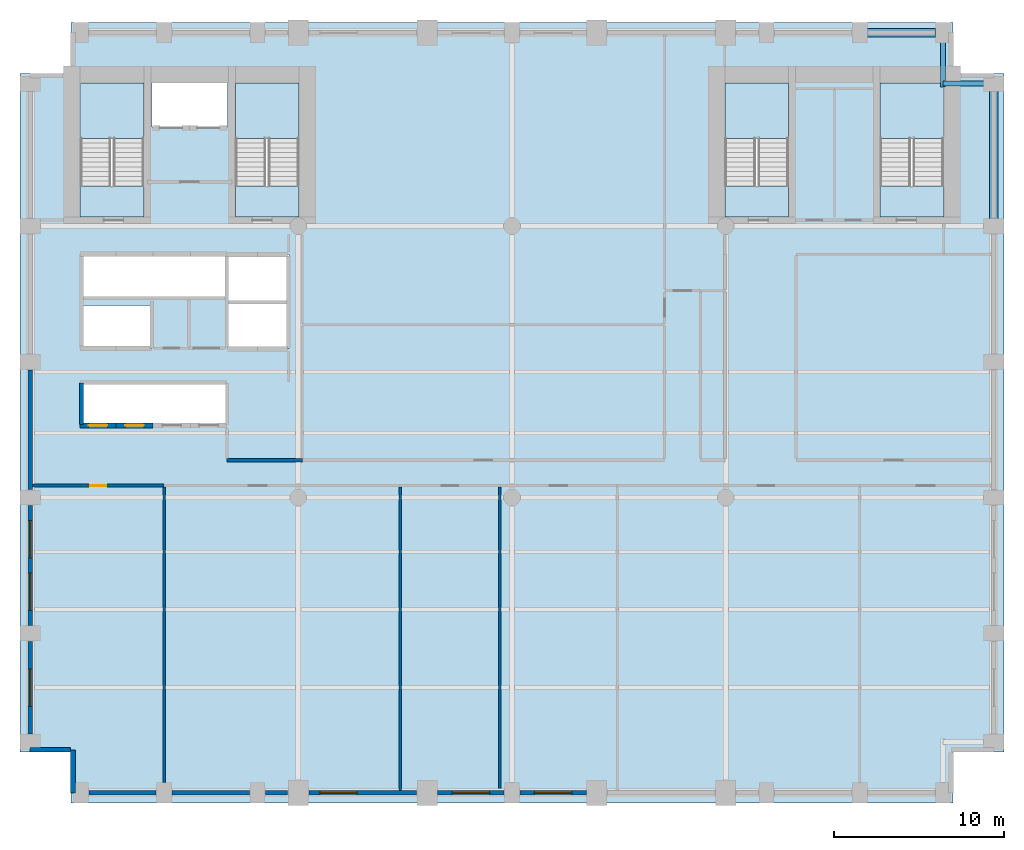
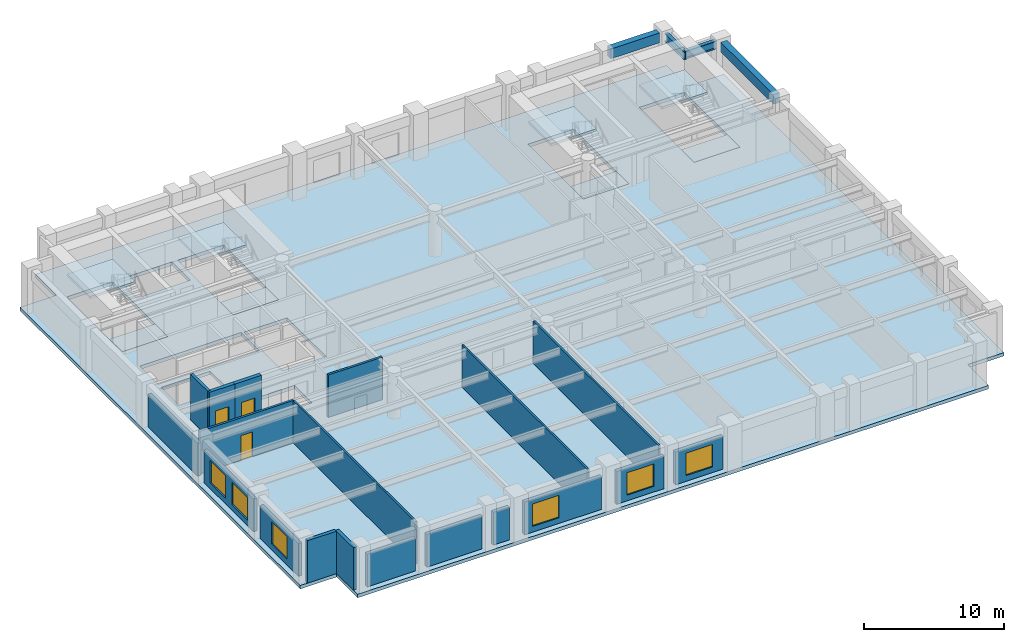
# One storey, part 2 of 8: 19 walls, 9 slabs, 6 windows, 4 beams, 3 doors, 9 openings, 4 elements without a shape of their own.
"""IFC4 building model written with IfcOpenShell, lengths in metres."""

from ifc_helpers import new_model, si_unit, direction, frame, frame_2d, origin, origin_2d, place, context, subcontext, project, spatial, polyline, rectangle, i_section, outline, extrude, material, layer, layer_set, material_profile, profile_set, type_object, element, fill, aggregate, save


model = new_model("IFC4")

# Units and contexts
model_context = context("Model", 3, precision=1e-05, world=origin(), true_north=direction((0.0, 1.0)))
body_context = subcontext(model_context, "Body", "Model", "MODEL_VIEW")
ifc_project = project(units=[si_unit("LENGTHUNIT", "METRE"), si_unit("AREAUNIT", "SQUARE_METRE"), si_unit("VOLUMEUNIT", "CUBIC_METRE"), si_unit("PLANEANGLEUNIT", "RADIAN"), si_unit("MASSUNIT", "GRAM", prefix="KILO")], contexts=[model_context])

# Site, building, storey
site_placement = place(None, origin())
site = spatial("IfcSite", under=ifc_project, at=site_placement, CompositionType="ELEMENT")
building_placement = place(site_placement, origin())
building = spatial("IfcBuilding", under=site, at=building_placement, Name="Sulina Concourse Tower", CompositionType="ELEMENT")
storey_placement = place(building_placement, frame((0.0, 0.0, 74.60009765625)))
storey = spatial("IfcBuildingStorey", under=building, at=storey_placement, Name="L18", CompositionType="ELEMENT", Elevation=74.60009765625)

# Beams
ifc_material_1 = material(Name="Steel S355", Category="steel")
ifc_material_profile_1 = material_profile(ifc_material_1, i_section(OverallWidth=0.300048828125, OverallDepth=0.699951171875, WebThickness=0.01708984375, FlangeThickness=0.031982421875, at=origin_2d()), Name="HE 700 B")
ifc_profile_set_1 = profile_set([ifc_material_profile_1], Name="Steel S355")
beam_type_1 = type_object("IfcBeamType", Name="Floor Primary Girder Zone 1 HE700B", PredefinedType="BEAM", material=ifc_profile_set_1)
beam_1_placement = place(storey_placement, frame((54.39990234375, 42.39990234375, 3.349853515625), z_axis=(1.0, 0.0, 0.0), x_axis=(0.0, 1.0, 0.0)))
element("IfcBeam", 1, at=beam_1_placement, inside=storey, type_object=beam_type_1, Name="TIE-NE-L18", PredefinedType="BEAM", context=body_context, shape_type="SweptSolid", body=[
    extrude(i_section(OverallWidth=0.300048828125, OverallDepth=0.699951171875, WebThickness=0.01708984375, FlangeThickness=0.031982421875, at=origin_2d()), origin(), (0.0, 0.0, 1.0), 2.570068359375),
])
beam_2_placement = place(storey_placement, frame((54.39990234375, 42.199951171875, 3.349853515625), z_axis=(0.0, 1.0, 0.0), x_axis=(-1.0, 0.0, 0.0)))
element("IfcBeam", 2, at=beam_2_placement, inside=storey, type_object=beam_type_1, Name="TIE-NEN-L18", PredefinedType="BEAM", context=body_context, shape_type="SweptSolid", body=[
    extrude(i_section(OverallWidth=0.300048828125, OverallDepth=0.699951171875, WebThickness=0.01708984375, FlangeThickness=0.031982421875, at=origin_2d()), origin(), (0.0, 0.0, 1.0), 2.77001953125),
])
ifc_material_2 = material(Name="Precast concrete C50/60", Category="concrete")
ifc_material_profile_2 = material_profile(ifc_material_2, rectangle(XDim=0.5, YDim=0.85009765625, at=origin_2d()), Name="RC 500x850")
ifc_profile_set_2 = profile_set([ifc_material_profile_2], Name="Precast concrete C50/60")
beam_type_2 = type_object("IfcBeamType", Name="Lower Precast Spandrel Edge Beam 500x850", PredefinedType="BEAM", material=ifc_profile_set_2)
beam_3_placement = place(storey_placement, frame((49.929931640625, 45.39990234375, 3.27490234375), z_axis=(1.0, 0.0, 0.0), x_axis=(0.0, 1.0, 0.0)))
element("IfcBeam", 3, at=beam_3_placement, inside=storey, type_object=beam_type_2, Name="SP-N10-L18", PredefinedType="BEAM", context=body_context, shape_type="SweptSolid", body=[
    extrude(rectangle(XDim=0.5, YDim=0.85009765625, at=origin_2d()), origin(), (0.0, 0.0, 1.0), 4.0400390625),
])
beam_4_placement = place(storey_placement, frame((57.39990234375, 34.429931640625, 3.27490234375), z_axis=(0.0, 1.0, 0.0), x_axis=(-1.0, 0.0, 0.0)))
element("IfcBeam", 4, at=beam_4_placement, inside=storey, type_object=beam_type_2, Name="SP-E5-L18", PredefinedType="BEAM", context=body_context, shape_type="SweptSolid", body=[
    extrude(rectangle(XDim=0.5, YDim=0.85009765625, at=origin_2d()), origin(), (0.0, 0.0, 1.0), 7.5400390625),
])

# Slabs
ifc_material_3 = material(Name="Concrete C50/60", Category="concrete")
ifc_layer_1 = layer(ifc_material_3, 0.300048828125)
ifc_layer_set_1 = layer_set([ifc_layer_1], Name="Concrete C50/60")
slab_type_1 = type_object("IfcSlabType", Name="Low-Rise Composite Floor Slab 300mm", PredefinedType="FLOOR", material=ifc_layer_set_1)
slab_1_placement = place(storey_placement, frame((0.0, 0.0, -0.300048828125)))
element("IfcSlab", 5, at=slab_1_placement, inside=storey, type_object=slab_type_1, Name="L18 structural floor slab", PredefinedType="FLOOR", context=body_context, shape_type="SweptSolid", body=[
    extrude(outline(polyline([(3.0, 0.0), (55.0, 0.0), (55.0, 3.0), (58.0, 3.0), (58.0, 43.0), (55.0, 43.0), (55.0, 46.0), (3.0, 46.0), (3.0, 43.0), (0.0, 43.0), (0.0, 3.0), (3.0, 3.0), (3.0, 0.0)]), holes=[polyline([(7.31005859375, 34.550048828125), (7.31005859375, 42.429931640625), (3.550048828125, 42.429931640625), (3.550048828125, 34.550048828125), (7.31005859375, 34.550048828125)]), polyline([(16.449951171875, 34.550048828125), (16.449951171875, 42.429931640625), (12.68994140625, 42.429931640625), (12.68994140625, 34.550048828125), (16.449951171875, 34.550048828125)]), polyline([(45.31005859375, 34.550048828125), (45.31005859375, 42.429931640625), (41.550048828125, 42.429931640625), (41.550048828125, 34.550048828125), (45.31005859375, 34.550048828125)]), polyline([(54.449951171875, 34.550048828125), (54.449951171875, 42.429931640625), (50.68994140625, 42.429931640625), (50.68994140625, 34.550048828125), (54.449951171875, 34.550048828125)]), polyline([(7.780029296875, 39.830078125), (12.219970703125, 39.830078125), (12.219970703125, 42.449951171875), (7.780029296875, 42.449951171875), (7.780029296875, 39.830078125)]), polyline([(3.739990234375, 26.780029296875), (7.77001953125, 26.780029296875), (7.77001953125, 29.320068359375), (3.739990234375, 29.320068359375), (3.739990234375, 26.780029296875)]), polyline([(3.739990234375, 29.780029296875), (12.10009765625, 29.780029296875), (12.10009765625, 32.3701171875), (3.739990234375, 32.3701171875), (3.739990234375, 29.780029296875)]), polyline([(3.739990234375, 22.280029296875), (12.10009765625, 22.280029296875), (12.10009765625, 24.77001953125), (3.739990234375, 24.77001953125), (3.739990234375, 22.280029296875)]), polyline([(12.280029296875, 26.780029296875), (15.85009765625, 26.780029296875), (15.85009765625, 32.320068359375), (12.280029296875, 32.320068359375), (12.280029296875, 26.780029296875)])]), origin(), (0.0, 0.0, 1.0), 0.300048828125),
])
ifc_material_4 = material(Name="Concrete C50/60", Category="concrete")
ifc_layer_2 = layer(ifc_material_4, 0.199951171875)
ifc_layer_set_2 = layer_set([ifc_layer_2], Name="Concrete C50/60")
slab_type_2 = type_object("IfcSlabType", Name="Primary Core Stair Landing Slab 200mm", PredefinedType="LANDING", material=ifc_layer_set_2)
slab_2_placement = place(storey_placement, frame((0.0, 0.0, -0.2001953125)))
element("IfcSlab", 6, at=slab_2_placement, inside=storey, type_object=slab_type_2, Name="L18 ST-1 floor landing slab", PredefinedType="LANDING", context=body_context, shape_type="SweptSolid", body=[
    extrude(outline(polyline([(7.31005859375, 34.550048828125), (7.31005859375, 36.375), (3.550048828125, 36.375), (3.550048828125, 34.550048828125), (7.31005859375, 34.550048828125)])), origin(), (0.0, 0.0, 1.0), 0.2001953125),
])
slab_3_placement = place(storey_placement, frame((0.0, 0.0, -0.2001953125)))
element("IfcSlab", 7, at=slab_3_placement, inside=storey, type_object=slab_type_2, Name="L18 ST-2 floor landing slab", PredefinedType="LANDING", context=body_context, shape_type="SweptSolid", body=[
    extrude(outline(polyline([(16.449951171875, 34.550048828125), (16.449951171875, 36.375), (12.68994140625, 36.375), (12.68994140625, 34.550048828125), (16.449951171875, 34.550048828125)])), origin(), (0.0, 0.0, 1.0), 0.2001953125),
])
slab_4_placement = place(storey_placement, frame((0.0, 0.0, -0.2001953125)))
element("IfcSlab", 8, at=slab_4_placement, inside=storey, type_object=slab_type_2, Name="L18 ST-3 floor landing slab", PredefinedType="LANDING", context=body_context, shape_type="SweptSolid", body=[
    extrude(outline(polyline([(45.31005859375, 34.550048828125), (45.31005859375, 36.375), (41.550048828125, 36.375), (41.550048828125, 34.550048828125), (45.31005859375, 34.550048828125)])), origin(), (0.0, 0.0, 1.0), 0.2001953125),
])
slab_5_placement = place(storey_placement, frame((0.0, 0.0, -0.2001953125)))
element("IfcSlab", 9, at=slab_5_placement, inside=storey, type_object=slab_type_2, Name="L18 ST-4 floor landing slab", PredefinedType="LANDING", context=body_context, shape_type="SweptSolid", body=[
    extrude(outline(polyline([(54.449951171875, 34.550048828125), (54.449951171875, 36.375), (50.68994140625, 36.375), (50.68994140625, 34.550048828125), (54.449951171875, 34.550048828125)])), origin(), (0.0, 0.0, 1.0), 0.2001953125),
])

# Stair, slab
ifc_material_5 = material(Name="Concrete C50/60", Category="concrete")
stair_type_1 = type_object("IfcStairType", Name="Primary Core Dog-Leg Exit Stair 1800mm", PredefinedType="HALF_TURN_STAIR", material=ifc_material_5)
stair_1_placement = place(storey_placement, origin())
stair_1 = element("IfcStair", 10, at=stair_1_placement, inside=storey, type_object=stair_type_1, Name="L18 ST-1", PredefinedType="HALF_TURN_STAIR")
slab_6_placement = place(storey_placement, frame((0.0, 0.0, 1.7998046875)))
slab_6 = element("IfcSlab", 11, at=slab_6_placement, type_object=slab_type_2, Name="ST-1 landing 1", PredefinedType="LANDING", context=body_context, shape_type="SweptSolid", body=[
    extrude(outline(polyline([(7.304931640625, 39.175048828125), (7.304931640625, 42.425048828125), (3.554931640625, 42.425048828125), (3.554931640625, 39.175048828125), (7.304931640625, 39.175048828125)])), origin(), (0.0, 0.0, 1.0), 0.2001953125),
])
aggregate(stair_1, [slab_6])

stair_2_placement = place(storey_placement, origin())
stair_2 = element("IfcStair", 12, at=stair_2_placement, inside=storey, type_object=stair_type_1, Name="L18 ST-2", PredefinedType="HALF_TURN_STAIR")
slab_7_placement = place(storey_placement, frame((0.0, 0.0, 1.7998046875)))
slab_7 = element("IfcSlab", 13, at=slab_7_placement, type_object=slab_type_2, Name="ST-2 landing 1", PredefinedType="LANDING", context=body_context, shape_type="SweptSolid", body=[
    extrude(outline(polyline([(16.445068359375, 39.175048828125), (16.445068359375, 42.425048828125), (12.695068359375, 42.425048828125), (12.695068359375, 39.175048828125), (16.445068359375, 39.175048828125)])), origin(), (0.0, 0.0, 1.0), 0.2001953125),
])
aggregate(stair_2, [slab_7])

ifc_material_6 = material(Name="Concrete C50/60", Category="concrete")
stair_type_2 = type_object("IfcStairType", Name="Portal & Podium Core Exit Stair 1820mm", PredefinedType="HALF_TURN_STAIR", material=ifc_material_6)
stair_3_placement = place(storey_placement, origin())
stair_3 = element("IfcStair", 14, at=stair_3_placement, inside=storey, type_object=stair_type_2, Name="L18 ST-3", PredefinedType="HALF_TURN_STAIR")
slab_8_placement = place(storey_placement, frame((0.0, 0.0, 1.7998046875)))
slab_8 = element("IfcSlab", 15, at=slab_8_placement, type_object=slab_type_2, Name="ST-3 landing 1", PredefinedType="LANDING", context=body_context, shape_type="SweptSolid", body=[
    extrude(outline(polyline([(45.304931640625, 39.175048828125), (45.304931640625, 42.425048828125), (41.554931640625, 42.425048828125), (41.554931640625, 39.175048828125), (45.304931640625, 39.175048828125)])), origin(), (0.0, 0.0, 1.0), 0.2001953125),
])
aggregate(stair_3, [slab_8])

stair_4_placement = place(storey_placement, origin())
stair_4 = element("IfcStair", 16, at=stair_4_placement, inside=storey, type_object=stair_type_2, Name="L18 ST-4", PredefinedType="HALF_TURN_STAIR")
slab_9_placement = place(storey_placement, frame((0.0, 0.0, 1.7998046875)))
slab_9 = element("IfcSlab", 17, at=slab_9_placement, type_object=slab_type_2, Name="ST-4 landing 1", PredefinedType="LANDING", context=body_context, shape_type="SweptSolid", body=[
    extrude(outline(polyline([(54.445068359375, 39.175048828125), (54.445068359375, 42.425048828125), (50.695068359375, 42.425048828125), (50.695068359375, 39.175048828125), (54.445068359375, 39.175048828125)])), origin(), (0.0, 0.0, 1.0), 0.2001953125),
])
aggregate(stair_4, [slab_9])

# Wall
ifc_material_7 = material(Name="Concrete C50/60", Category="concrete")
ifc_layer_3 = layer(ifc_material_7, 0.219970703125)
ifc_layer_set_3 = layer_set([ifc_layer_3], Name="Concrete C50/60")
wall_type_1 = type_object("IfcWallType", Name="Core Lift Hoistway Divider Wall 220mm", PredefinedType="SOLIDWALL", material=ifc_layer_set_3)
wall_1_placement = place(storey_placement, frame((3.6298828125, 22.300048828125, 0.0), z_axis=(0.0, 0.0, 1.0), x_axis=(0.0, 1.0, 0.0)))
element("IfcWall", 18, at=wall_1_placement, inside=storey, type_object=wall_type_1, Name="L18 shaft divider wall HW-LP1-W", PredefinedType="SOLIDWALL", context=body_context, shape_type="SweptSolid", body=[
    extrude(rectangle(XDim=2.449951171875, YDim=0.219970703125, at=frame_2d((1.22509765625, 0.0))), origin(), (0.0, 0.0, 1.0), 4.0),
])

# Wall, opening, door
ifc_material_8 = material(Name="Concrete C50/60", Category="concrete")
ifc_layer_4 = layer(ifc_material_8, 0.300048828125)
ifc_layer_set_4 = layer_set([ifc_layer_4], Name="Concrete C50/60")
wall_type_2 = type_object("IfcWallType", Name="Core Lift Hoistway Wall 300mm", PredefinedType="SOLIDWALL", material=ifc_layer_set_4)
wall_2_placement = place(storey_placement, frame((5.64990234375, 22.25, 0.0), z_axis=(0.0, 0.0, 1.0), x_axis=(-1.0, 0.0, 0.0)))
wall_2 = element("IfcWall", 19, at=wall_2_placement, inside=storey, type_object=wall_type_2, Name="L18 hoistway enclosure wall LP-01", PredefinedType="SOLIDWALL", context=body_context, shape_type="SweptSolid", body=[
    extrude(rectangle(XDim=2.099853515625, YDim=0.300048828125, at=frame_2d((1.0498046875, 0.0))), origin(), (0.0, 0.0, 1.0), 4.0),
])
opening_1_placement = place(wall_2_placement, frame((0.5, 0.0, 0.0)))
opening_1 = element("IfcOpeningElement", 20, at=opening_1_placement, cuts=wall_2, Name="Opening LD-01", PredefinedType="OPENING", context=body_context, shape_type="SweptSolid", body=[
    extrude(rectangle(XDim=1.10009765625, YDim=2.199951171875, at=frame_2d((0.550048828125, 1.10009765625))), frame((0.0, 0.159912109375, 0.0), z_axis=(0.0, -1.0, 0.0), x_axis=(1.0, 0.0, 0.0)), (0.0, 0.0, 1.0), 0.320068359375),
])
ifc_material_9 = material(Name="Stainless steel lift landing door", Category="steel")
ifc_layer_5 = layer(ifc_material_9, 0.050048828125)
ifc_layer_set_5 = layer_set([ifc_layer_5], Name="Stainless steel lift landing door")
door_type_1 = type_object("IfcDoorType", Name="Passenger Lift Sliding Landing Door 1100x2200", OperationType="SLIDING_TO_LEFT", PredefinedType="DOOR", material=ifc_layer_set_5)
door_1_placement = place(opening_1_placement, origin())
door_1 = element("IfcDoor", 21, at=door_1_placement, inside=storey, type_object=door_type_1, Name="L18 lift landing sliding door LP-01", OperationType="SLIDING_TO_LEFT", OverallHeight=2.199951171875, OverallWidth=1.10009765625, PredefinedType="DOOR", context=body_context, shape_type="SweptSolid", body=[
    extrude(rectangle(XDim=1.10009765625, YDim=2.199951171875, at=frame_2d((0.550048828125, 1.10009765625))), frame((0.0, 0.02490234375, 0.0), z_axis=(0.0, -1.0, 0.0), x_axis=(1.0, 0.0, 0.0)), (0.0, 0.0, 1.0), 0.050048828125),
])
fill(opening_1, door_1)

wall_3_placement = place(storey_placement, frame((7.85009765625, 22.25, 0.0), z_axis=(0.0, 0.0, 1.0), x_axis=(-1.0, 0.0, 0.0)))
wall_3 = element("IfcWall", 22, at=wall_3_placement, inside=storey, type_object=wall_type_2, Name="L18 hoistway enclosure wall LP-02", PredefinedType="SOLIDWALL", context=body_context, shape_type="SweptSolid", body=[
    extrude(rectangle(XDim=2.2001953125, YDim=0.300048828125, at=frame_2d((1.10009765625, 0.0))), origin(), (0.0, 0.0, 1.0), 4.0),
])
opening_2_placement = place(wall_3_placement, frame((0.550048828125, 0.0, 0.0)))
opening_2 = element("IfcOpeningElement", 23, at=opening_2_placement, cuts=wall_3, Name="Opening LD-01", PredefinedType="OPENING", context=body_context, shape_type="SweptSolid", body=[
    extrude(rectangle(XDim=1.10009765625, YDim=2.199951171875, at=frame_2d((0.550048828125, 1.10009765625))), frame((0.0, 0.159912109375, 0.0), z_axis=(0.0, -1.0, 0.0), x_axis=(1.0, 0.0, 0.0)), (0.0, 0.0, 1.0), 0.320068359375),
])
door_2_placement = place(opening_2_placement, origin())
door_2 = element("IfcDoor", 24, at=door_2_placement, inside=storey, type_object=door_type_1, Name="L18 lift landing sliding door LP-02", OperationType="SLIDING_TO_RIGHT", OverallHeight=2.199951171875, OverallWidth=1.10009765625, PredefinedType="DOOR", context=body_context, shape_type="SweptSolid", body=[
    extrude(rectangle(XDim=1.10009765625, YDim=2.199951171875, at=frame_2d((0.550048828125, 1.10009765625))), frame((0.0, 0.02490234375, 0.0), z_axis=(0.0, -1.0, 0.0), x_axis=(1.0, 0.0, 0.0)), (0.0, 0.0, 1.0), 0.050048828125),
])
fill(opening_2, door_2)

# Walls
ifc_material_10 = material(Name="Gypsum board on steel stud", Category="steel")
ifc_layer_6 = layer(ifc_material_10, 0.14990234375)
ifc_layer_set_6 = layer_set([ifc_layer_6], Name="Gypsum board on steel stud")
wall_type_3 = type_object("IfcWallType", Name="Inter-Tenancy Acoustic Partition 150mm", PredefinedType="PARTITIONING", material=ifc_layer_set_6)
wall_4_placement = place(storey_placement, frame((8.5, 1.199951171875, 0.0), z_axis=(0.0, 0.0, 1.0), x_axis=(0.0, 1.0, 0.0)))
element("IfcWall", 25, at=wall_4_placement, inside=storey, type_object=wall_type_3, Name="L18 interior partition 021", PredefinedType="PARTITIONING", context=body_context, shape_type="SweptSolid", body=[
    extrude(rectangle(XDim=17.41015625, YDim=0.14990234375, at=frame_2d((8.705078125, 0.0))), origin(), (0.0, 0.0, 1.0), 3.699951171875),
])
for number, where, z_axis, x_axis, name in (
    (26, (22.39990234375, 0.739990234375, 0.0), (0.0, 0.0, 1.0), (0.0, 1.0, 0.0), "L18 interior partition 028"),
    (27, (28.2900390625, 0.739990234375, 0.0), (0.0, 0.0, 1.0), (0.0, 1.0, 0.0), "L18 interior partition 029"),
):
    element("IfcWall", number, at=place(storey_placement, frame(where, z_axis=z_axis, x_axis=x_axis)), inside=storey, type_object=wall_type_3, Name=name, PredefinedType="PARTITIONING", context=body_context, shape_type="SweptSolid", body=[
        extrude(rectangle(XDim=17.8701171875, YDim=0.14990234375, at=frame_2d((8.93505859375, 0.0))), origin(), (0.0, 0.0, 1.0), 3.699951171875),
    ])

# Wall, opening, door
ifc_material_11 = material(Name="Gypsum board on steel stud", Category="steel")
ifc_layer_7 = layer(ifc_material_11, 0.179931640625)
ifc_layer_set_7 = layer_set([ifc_layer_7], Name="Gypsum board on steel stud")
wall_type_4 = type_object("IfcWallType", Name="Protected Corridor & Riser Partition 180mm", PredefinedType="PARTITIONING", material=ifc_layer_set_7)
wall_5_placement = place(storey_placement, frame((0.739990234375, 18.699951171875, 0.0), z_axis=(0.0, 0.0, 1.0), x_axis=(1.0, 0.0, 0.0)))
wall_5 = element("IfcWall", 28, at=wall_5_placement, inside=storey, type_object=wall_type_4, Name="L18 interior partition 001", PredefinedType="PARTITIONING", context=body_context, shape_type="SweptSolid", body=[
    extrude(rectangle(XDim=7.760009765625, YDim=0.179931640625, at=frame_2d((3.8798828125, 0.0))), origin(), (0.0, 0.0, 1.0), 3.699951171875),
])
opening_3_placement = place(wall_5_placement, frame((3.405029296875, 0.0, 0.0)))
opening_3 = element("IfcOpeningElement", 29, at=opening_3_placement, cuts=wall_5, Name="Opening DR-19", PredefinedType="OPENING", context=body_context, shape_type="SweptSolid", body=[
    extrude(rectangle(XDim=0.949951171875, YDim=2.14990234375, at=frame_2d((0.47509765625, 1.074951171875))), frame((0.0, 0.099853515625, 0.0), z_axis=(0.0, -1.0, 0.0), x_axis=(1.0, 0.0, 0.0)), (0.0, 0.0, 1.0), 0.199951171875),
])
ifc_material_12 = material(Name="Oak-veneered acoustic timber leaf", Category="wood")
ifc_layer_8 = layer(ifc_material_12, 0.050048828125)
ifc_layer_set_8 = layer_set([ifc_layer_8], Name="Oak-veneered acoustic timber leaf")
door_type_2 = type_object("IfcDoorType", Name="Cellular Office & Meeting Door 950x2150", OperationType="NOTDEFINED", PredefinedType="DOOR", material=ifc_layer_set_8)
door_3_placement = place(opening_3_placement, origin())
door_3 = element("IfcDoor", 30, at=door_3_placement, inside=storey, type_object=door_type_2, Name="L18 interior door L18-S01", OperationType="SINGLE_SWING_RIGHT", OverallHeight=2.14990234375, OverallWidth=0.949951171875, PredefinedType="DOOR", context=body_context, shape_type="SweptSolid", body=[
    extrude(rectangle(XDim=0.949951171875, YDim=2.14990234375, at=frame_2d((0.47509765625, 1.074951171875))), frame((0.0, 0.02490234375, 0.0), z_axis=(0.0, -1.0, 0.0), x_axis=(1.0, 0.0, 0.0)), (0.0, 0.0, 1.0), 0.050048828125),
])
fill(opening_3, door_3)

# Walls
wall_6_placement = place(storey_placement, frame((12.199951171875, 20.199951171875, 0.0), z_axis=(0.0, 0.0, 1.0), x_axis=(1.0, 0.0, 0.0)))
element("IfcWall", 31, at=wall_6_placement, inside=storey, type_object=wall_type_4, Name="L18 interior partition 007", PredefinedType="PARTITIONING", context=body_context, shape_type="SweptSolid", body=[
    extrude(rectangle(XDim=4.449951171875, YDim=0.179931640625, at=frame_2d((2.22509765625, 0.0))), origin(), (0.0, 0.0, 1.0), 3.699951171875),
])
ifc_material_13 = material(Name="Precast concrete C50/60", Category="concrete")
ifc_layer_9 = layer(ifc_material_13, 0.280029296875)
ifc_layer_set_9 = layer_set([ifc_layer_9], Name="Precast concrete C50/60")
wall_type_5 = type_object("IfcWallType", Name="Typical Precast Masonry-Frame Facade Wall 280mm", PredefinedType="SOLIDWALL", material=ifc_layer_set_9)
wall_7_placement = place(storey_placement, frame((8.030029296875, 0.60009765625, 0.0), z_axis=(0.0, 0.0, 1.0), x_axis=(-1.0, 0.0, 0.0)))
element("IfcWall", 32, at=wall_7_placement, inside=storey, type_object=wall_type_5, Name="L18 exterior precast wall S1", PredefinedType="SOLIDWALL", context=body_context, shape_type="SweptSolid", body=[
    extrude(rectangle(XDim=3.9599609375, YDim=0.280029296875, at=frame_2d((1.97998046875, 0.0))), origin(), (0.0, 0.0, 1.0), 2.849853515625),
])
wall_8_placement = place(storey_placement, frame((13.530029296875, 0.60009765625, 0.0), z_axis=(0.0, 0.0, 1.0), x_axis=(-1.0, 0.0, 0.0)))
element("IfcWall", 33, at=wall_8_placement, inside=storey, type_object=wall_type_5, Name="L18 exterior precast wall S2", PredefinedType="SOLIDWALL", context=body_context, shape_type="SweptSolid", body=[
    extrude(rectangle(XDim=4.56005859375, YDim=0.280029296875, at=frame_2d((2.280029296875, 0.0))), origin(), (0.0, 0.0, 1.0), 2.849853515625),
])
wall_9_placement = place(storey_placement, frame((15.780029296875, 0.60009765625, 0.0), z_axis=(0.0, 0.0, 1.0), x_axis=(-1.0, 0.0, 0.0)))
element("IfcWall", 34, at=wall_9_placement, inside=storey, type_object=wall_type_5, Name="L18 exterior precast wall S3", PredefinedType="SOLIDWALL", context=body_context, shape_type="SweptSolid", body=[
    extrude(rectangle(XDim=1.31005859375, YDim=0.280029296875, at=frame_2d((0.655029296875, 0.0))), origin(), (0.0, 0.0, 1.0), 2.849853515625),
])

# Wall, opening, window
wall_10_placement = place(storey_placement, frame((23.3798828125, 0.60009765625, 0.0), z_axis=(0.0, 0.0, 1.0), x_axis=(-1.0, 0.0, 0.0)))
wall_10 = element("IfcWall", 35, at=wall_10_placement, inside=storey, type_object=wall_type_5, Name="L18 exterior precast wall S4", PredefinedType="SOLIDWALL", context=body_context, shape_type="SweptSolid", body=[
    extrude(rectangle(XDim=6.35986328125, YDim=0.280029296875, at=frame_2d((3.179931640625, 0.0))), origin(), (0.0, 0.0, 1.0), 2.849853515625),
])
opening_4_placement = place(wall_10_placement, frame((3.506591796875, 0.0, 0.5)))
opening_4 = element("IfcOpeningElement", 36, at=opening_4_placement, cuts=wall_10, Name="Opening WN-76", PredefinedType="OPENING", context=body_context, shape_type="SweptSolid", body=[
    extrude(rectangle(XDim=2.199951171875, YDim=1.949951171875, at=frame_2d((1.10009765625, 0.97509765625))), frame((0.0, 0.14990234375, 0.0), z_axis=(0.0, -1.0, 0.0), x_axis=(1.0, 0.0, 0.0)), (0.0, 0.0, 1.0), 0.300048828125),
])
ifc_material_14 = material(Name="Low-E solar double glazing in bronze aluminium", Category="aluminium")
window_type = type_object("IfcWindowType", Name="Recessed Spandrel Window 2200x1950", PartitioningType="DOUBLE_PANEL_VERTICAL", PredefinedType="WINDOW", material=ifc_material_14)
window_1_placement = place(opening_4_placement, origin())
window_1 = element("IfcWindow", 37, at=window_1_placement, inside=storey, type_object=window_type, Name="L18 punched window S4-1", OverallHeight=1.949951171875, OverallWidth=2.199951171875, PartitioningType="SINGLE_PANEL", PredefinedType="WINDOW", context=body_context, shape_type="SweptSolid", body=[
    extrude(rectangle(XDim=2.199951171875, YDim=1.949951171875, at=frame_2d((1.10009765625, 0.97509765625))), frame((0.0, 0.030029296875, 0.0), z_axis=(0.0, -1.0, 0.0), x_axis=(1.0, 0.0, 0.0)), (0.0, 0.0, 1.0), 0.06005859375),
])
fill(opening_4, window_1)

wall_11_placement = place(storey_placement, frame((28.530029296875, 0.60009765625, 0.0), z_axis=(0.0, 0.0, 1.0), x_axis=(-1.0, 0.0, 0.0)))
wall_11 = element("IfcWall", 38, at=wall_11_placement, inside=storey, type_object=wall_type_5, Name="L18 exterior precast wall S5", PredefinedType="SOLIDWALL", context=body_context, shape_type="SweptSolid", body=[
    extrude(rectangle(XDim=3.909912109375, YDim=0.280029296875, at=frame_2d((1.955078125, 0.0))), origin(), (0.0, 0.0, 1.0), 2.849853515625),
])
opening_5_placement = place(wall_11_placement, frame((0.85498046875, 0.0, 0.5)))
opening_5 = element("IfcOpeningElement", 39, at=opening_5_placement, cuts=wall_11, Name="Opening WN-76", PredefinedType="OPENING", context=body_context, shape_type="SweptSolid", body=[
    extrude(rectangle(XDim=2.199951171875, YDim=1.949951171875, at=frame_2d((1.10009765625, 0.97509765625))), frame((0.0, 0.14990234375, 0.0), z_axis=(0.0, -1.0, 0.0), x_axis=(1.0, 0.0, 0.0)), (0.0, 0.0, 1.0), 0.300048828125),
])
window_2_placement = place(opening_5_placement, origin())
window_2 = element("IfcWindow", 40, at=window_2_placement, inside=storey, type_object=window_type, Name="L18 punched window S5-1", OverallHeight=1.949951171875, OverallWidth=2.199951171875, PartitioningType="SINGLE_PANEL", PredefinedType="WINDOW", context=body_context, shape_type="SweptSolid", body=[
    extrude(rectangle(XDim=2.199951171875, YDim=1.949951171875, at=frame_2d((1.10009765625, 0.97509765625))), frame((0.0, 0.030029296875, 0.0), z_axis=(0.0, -1.0, 0.0), x_axis=(1.0, 0.0, 0.0)), (0.0, 0.0, 1.0), 0.06005859375),
])
fill(opening_5, window_2)

wall_12_placement = place(storey_placement, frame((33.3798828125, 0.60009765625, 0.0), z_axis=(0.0, 0.0, 1.0), x_axis=(-1.0, 0.0, 0.0)))
wall_12 = element("IfcWall", 41, at=wall_12_placement, inside=storey, type_object=wall_type_5, Name="L18 exterior precast wall S6", PredefinedType="SOLIDWALL", context=body_context, shape_type="SweptSolid", body=[
    extrude(rectangle(XDim=3.909912109375, YDim=0.280029296875, at=frame_2d((1.955078125, 0.0))), origin(), (0.0, 0.0, 1.0), 2.849853515625),
])
opening_6_placement = place(wall_12_placement, frame((0.85498046875, 0.0, 0.5)))
opening_6 = element("IfcOpeningElement", 42, at=opening_6_placement, cuts=wall_12, Name="Opening WN-76", PredefinedType="OPENING", context=body_context, shape_type="SweptSolid", body=[
    extrude(rectangle(XDim=2.199951171875, YDim=1.949951171875, at=frame_2d((1.10009765625, 0.97509765625))), frame((0.0, 0.14990234375, 0.0), z_axis=(0.0, -1.0, 0.0), x_axis=(1.0, 0.0, 0.0)), (0.0, 0.0, 1.0), 0.300048828125),
])
window_3_placement = place(opening_6_placement, origin())
window_3 = element("IfcWindow", 43, at=window_3_placement, inside=storey, type_object=window_type, Name="L18 punched window S6-1", OverallHeight=1.949951171875, OverallWidth=2.199951171875, PartitioningType="SINGLE_PANEL", PredefinedType="WINDOW", context=body_context, shape_type="SweptSolid", body=[
    extrude(rectangle(XDim=2.199951171875, YDim=1.949951171875, at=frame_2d((1.10009765625, 0.97509765625))), frame((0.0, 0.030029296875, 0.0), z_axis=(0.0, -1.0, 0.0), x_axis=(1.0, 0.0, 0.0)), (0.0, 0.0, 1.0), 0.06005859375),
])
fill(opening_6, window_3)

wall_13_placement = place(storey_placement, frame((0.60009765625, 4.070068359375, 0.0), z_axis=(0.0, 0.0, 1.0), x_axis=(0.0, 1.0, 0.0)))
wall_13 = element("IfcWall", 44, at=wall_13_placement, inside=storey, type_object=wall_type_5, Name="L18 exterior precast wall W1", PredefinedType="SOLIDWALL", context=body_context, shape_type="SweptSolid", body=[
    extrude(rectangle(XDim=5.4599609375, YDim=0.280029296875, at=frame_2d((2.72998046875, 0.0))), origin(), (0.0, 0.0, 1.0), 2.849853515625),
])
opening_7_placement = place(wall_13_placement, frame((1.6298828125, 0.0, 0.5)))
opening_7 = element("IfcOpeningElement", 45, at=opening_7_placement, cuts=wall_13, Name="Opening WN-76", PredefinedType="OPENING", context=body_context, shape_type="SweptSolid", body=[
    extrude(rectangle(XDim=2.199951171875, YDim=1.949951171875, at=frame_2d((1.10009765625, 0.97509765625))), frame((0.0, 0.14990234375, 0.0), z_axis=(0.0, -1.0, 0.0), x_axis=(1.0, 0.0, 0.0)), (0.0, 0.0, 1.0), 0.300048828125),
])
window_4_placement = place(opening_7_placement, origin())
window_4 = element("IfcWindow", 46, at=window_4_placement, inside=storey, type_object=window_type, Name="L18 punched window W1-1", OverallHeight=1.949951171875, OverallWidth=2.199951171875, PartitioningType="SINGLE_PANEL", PredefinedType="WINDOW", context=body_context, shape_type="SweptSolid", body=[
    extrude(rectangle(XDim=2.199951171875, YDim=1.949951171875, at=frame_2d((1.10009765625, 0.97509765625))), frame((0.0, 0.030029296875, 0.0), z_axis=(0.0, -1.0, 0.0), x_axis=(1.0, 0.0, 0.0)), (0.0, 0.0, 1.0), 0.06005859375),
])
fill(opening_7, window_4)

# Wall, openings, windows
wall_14_placement = place(storey_placement, frame((0.60009765625, 10.469970703125, 0.0), z_axis=(0.0, 0.0, 1.0), x_axis=(0.0, 1.0, 0.0)))
wall_14 = element("IfcWall", 47, at=wall_14_placement, inside=storey, type_object=wall_type_5, Name="L18 exterior precast wall W2", PredefinedType="SOLIDWALL", context=body_context, shape_type="SweptSolid", body=[
    extrude(rectangle(XDim=7.06005859375, YDim=0.280029296875, at=frame_2d((3.530029296875, 0.0))), origin(), (0.0, 0.0, 1.0), 2.849853515625),
])
opening_8_placement = place(wall_14_placement, frame((0.88671875, 0.0, 0.5)))
opening_8 = element("IfcOpeningElement", 48, at=opening_8_placement, cuts=wall_14, Name="Opening WN-76", PredefinedType="OPENING", context=body_context, shape_type="SweptSolid", body=[
    extrude(rectangle(XDim=2.199951171875, YDim=1.949951171875, at=frame_2d((1.10009765625, 0.97509765625))), frame((0.0, 0.14990234375, 0.0), z_axis=(0.0, -1.0, 0.0), x_axis=(1.0, 0.0, 0.0)), (0.0, 0.0, 1.0), 0.300048828125),
])
opening_9_placement = place(wall_14_placement, frame((3.973388671875, 0.0, 0.5)))
opening_9 = element("IfcOpeningElement", 49, at=opening_9_placement, cuts=wall_14, Name="Opening WN-76", PredefinedType="OPENING", context=body_context, shape_type="SweptSolid", body=[
    extrude(rectangle(XDim=2.199951171875, YDim=1.949951171875, at=frame_2d((1.10009765625, 0.97509765625))), frame((0.0, 0.14990234375, 0.0), z_axis=(0.0, -1.0, 0.0), x_axis=(1.0, 0.0, 0.0)), (0.0, 0.0, 1.0), 0.300048828125),
])
window_5_placement = place(opening_8_placement, origin())
window_5 = element("IfcWindow", 50, at=window_5_placement, inside=storey, type_object=window_type, Name="L18 punched window W2-1", OverallHeight=1.949951171875, OverallWidth=2.199951171875, PartitioningType="SINGLE_PANEL", PredefinedType="WINDOW", context=body_context, shape_type="SweptSolid", body=[
    extrude(rectangle(XDim=2.199951171875, YDim=1.949951171875, at=frame_2d((1.10009765625, 0.97509765625))), frame((0.0, 0.030029296875, 0.0), z_axis=(0.0, -1.0, 0.0), x_axis=(1.0, 0.0, 0.0)), (0.0, 0.0, 1.0), 0.06005859375),
])
fill(opening_8, window_5)
window_6_placement = place(opening_9_placement, origin())
window_6 = element("IfcWindow", 51, at=window_6_placement, inside=storey, type_object=window_type, Name="L18 punched window W2-2", OverallHeight=1.949951171875, OverallWidth=2.199951171875, PartitioningType="SINGLE_PANEL", PredefinedType="WINDOW", context=body_context, shape_type="SweptSolid", body=[
    extrude(rectangle(XDim=2.199951171875, YDim=1.949951171875, at=frame_2d((1.10009765625, 0.97509765625))), frame((0.0, 0.030029296875, 0.0), z_axis=(0.0, -1.0, 0.0), x_axis=(1.0, 0.0, 0.0)), (0.0, 0.0, 1.0), 0.06005859375),
])
fill(opening_9, window_6)

# Walls
wall_15_placement = place(storey_placement, frame((0.60009765625, 18.469970703125, 0.0), z_axis=(0.0, 0.0, 1.0), x_axis=(0.0, 1.0, 0.0)))
element("IfcWall", 52, at=wall_15_placement, inside=storey, type_object=wall_type_5, Name="L18 exterior precast wall W3", PredefinedType="SOLIDWALL", context=body_context, shape_type="SweptSolid", body=[
    extrude(rectangle(XDim=7.06005859375, YDim=0.280029296875, at=frame_2d((3.530029296875, 0.0))), origin(), (0.0, 0.0, 1.0), 2.849853515625),
])
wall_16_placement = place(storey_placement, frame((3.1298828125, 0.60009765625, 0.0), z_axis=(0.0, 0.0, 1.0), x_axis=(0.0, 1.0, 0.0)))
element("IfcWall", 53, at=wall_16_placement, inside=storey, type_object=wall_type_5, Name="L18 exterior precast wall CSW1", PredefinedType="SOLIDWALL", context=body_context, shape_type="SweptSolid", body=[
    extrude(rectangle(XDim=2.52978515625, YDim=0.280029296875, at=frame_2d((1.264892578125, 0.0))), origin(), (0.0, 0.0, 1.0), 3.699951171875),
])
wall_17_placement = place(storey_placement, frame((2.985107421875, 3.1298828125, 0.0), z_axis=(0.0, 0.0, 1.0), x_axis=(-1.0, 0.0, 0.0)))
element("IfcWall", 54, at=wall_17_placement, inside=storey, type_object=wall_type_5, Name="L18 exterior precast wall CSW2", PredefinedType="SOLIDWALL", context=body_context, shape_type="SweptSolid", body=[
    extrude(rectangle(XDim=2.385009765625, YDim=0.280029296875, at=frame_2d((1.1923828125, 0.0))), origin(), (0.0, 0.0, 1.0), 3.699951171875),
])

save(model, "model.ifc")
